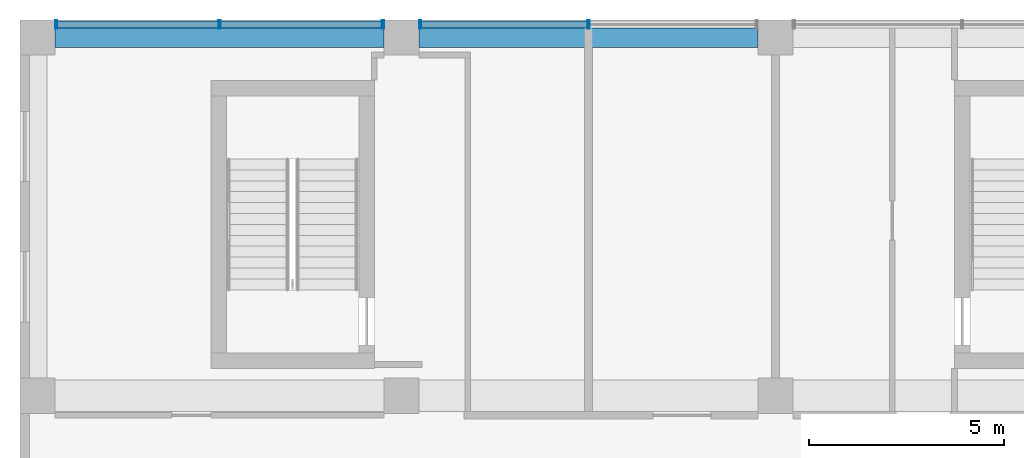
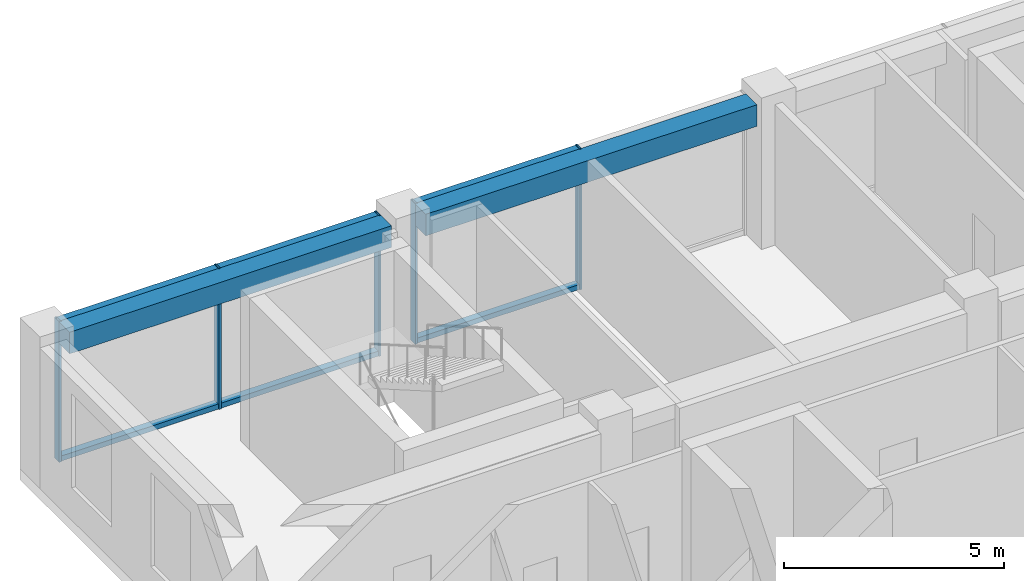
# One storey, part 21 of 38: 11 members, 2 beams, 2 elements without a shape of their own.
"""IFC4 building model written with IfcOpenShell, lengths in metres."""

from ifc_helpers import new_model, si_unit, direction, frame, origin, origin_2d, place, context, subcontext, project, spatial, rectangle, hollow_rectangle, extrude, material, layer, layer_set, material_profile, profile_set, type_object, element, aggregate, save


model = new_model("IFC4")

# Units and contexts
model_context = context("Model", 3, precision=1e-05, world=origin(), true_north=direction((0.0, 1.0)))
body_context = subcontext(model_context, "Body", "Model", "MODEL_VIEW")
ifc_project = project(units=[si_unit("LENGTHUNIT", "METRE"), si_unit("AREAUNIT", "SQUARE_METRE"), si_unit("VOLUMEUNIT", "CUBIC_METRE"), si_unit("PLANEANGLEUNIT", "RADIAN"), si_unit("MASSUNIT", "GRAM", prefix="KILO")], contexts=[model_context])

# Site, building, storey
site_placement = place(None, origin())
site = spatial("IfcSite", under=ifc_project, at=site_placement, CompositionType="ELEMENT")
building_placement = place(site_placement, origin())
building = spatial("IfcBuilding", under=site, at=building_placement, Name="Nzadi Deep Aquarium and Research Tower", CompositionType="ELEMENT")
storey_placement = place(building_placement, frame((0.0, 0.0, 52.89990234375)))
storey = spatial("IfcBuildingStorey", under=building, at=storey_placement, Name="L10", CompositionType="ELEMENT", Elevation=52.89990234375)

# Curtain wall, members
ifc_material_1 = material(Name="Aluminium unitised frame deep", Category="aluminium")
ifc_layer = layer(ifc_material_1, 0.22509765625)
ifc_layer_set = layer_set([ifc_layer], Name="Aluminium unitised frame deep")
curtain_wall_type = type_object("IfcCurtainWallType", Name="Curtain wall Unitised Deep 225", PredefinedType="NOTDEFINED", material=ifc_layer_set)
curtain_wall_1_placement = place(storey_placement, origin())
curtain_wall_1 = element("IfcCurtainWall", 1, at=curtain_wall_1_placement, inside=storey, type_object=curtain_wall_type, Name="Unitised curtain wall blade B north L10", PredefinedType="NOTDEFINED")
ifc_material_2 = material(Name="Aluminium unitised frame deep", Category="aluminium")
ifc_material_profile_1 = material_profile(ifc_material_2, hollow_rectangle(XDim=0.22509765625, YDim=0.06005859375, WallThickness=0.0048828125, at=origin_2d()))
ifc_profile_set_1 = profile_set([ifc_material_profile_1], Name="Aluminium unitised frame deep")
member_type_1 = type_object("IfcMemberType", Name="Mullion 60x225 Unitised Deep", PredefinedType="MULLION", material=ifc_profile_set_1)
member_1_placement = place(storey_placement, frame((0.72998046875, 46.33740234375, 0.0), z_axis=(0.0, 0.0, 1.0), x_axis=(0.0, 1.0, 0.0)))
member_1 = element("IfcMember", 2, at=member_1_placement, type_object=member_type_1, Name="CW134 mullion 1", PredefinedType="MULLION", context=body_context, shape_type="SweptSolid", body=[
    extrude(hollow_rectangle(XDim=0.22509765625, YDim=0.06005859375, WallThickness=0.0048828125, at=origin_2d()), origin(), (0.0, 0.0, 1.0), 3.900146484375),
])
member_2_placement = place(storey_placement, frame((4.925048828125, 46.33740234375, 0.0), z_axis=(0.0, 0.0, 1.0), x_axis=(0.0, 1.0, 0.0)))
member_2 = element("IfcMember", 3, at=member_2_placement, type_object=member_type_1, Name="CW134 mullion 2", PredefinedType="MULLION", context=body_context, shape_type="SweptSolid", body=[
    extrude(hollow_rectangle(XDim=0.22509765625, YDim=0.06005859375, WallThickness=0.0048828125, at=origin_2d()), origin(), (0.0, 0.0, 1.0), 3.900146484375),
])
member_3_placement = place(storey_placement, frame((9.1201171875, 46.33740234375, 0.0), z_axis=(0.0, 0.0, 1.0), x_axis=(0.0, 1.0, 0.0)))
member_3 = element("IfcMember", 4, at=member_3_placement, type_object=member_type_1, Name="CW134 mullion 3", PredefinedType="MULLION", context=body_context, shape_type="SweptSolid", body=[
    extrude(hollow_rectangle(XDim=0.22509765625, YDim=0.06005859375, WallThickness=0.0048828125, at=origin_2d()), origin(), (0.0, 0.0, 1.0), 3.900146484375),
])

curtain_wall_2_placement = place(storey_placement, origin())
curtain_wall_2 = element("IfcCurtainWall", 5, at=curtain_wall_2_placement, inside=storey, type_object=curtain_wall_type, Name="Unitised curtain wall blade B north L10", PredefinedType="NOTDEFINED")
member_4_placement = place(storey_placement, frame((10.080078125, 46.33740234375, 0.0), z_axis=(0.0, 0.0, 1.0), x_axis=(0.0, 1.0, 0.0)))
member_4 = element("IfcMember", 6, at=member_4_placement, type_object=member_type_1, Name="CW135 mullion 1", PredefinedType="MULLION", context=body_context, shape_type="SweptSolid", body=[
    extrude(hollow_rectangle(XDim=0.22509765625, YDim=0.06005859375, WallThickness=0.0048828125, at=origin_2d()), origin(), (0.0, 0.0, 1.0), 3.900146484375),
])
member_5_placement = place(storey_placement, frame((14.39990234375, 46.33740234375, 0.0), z_axis=(0.0, 0.0, 1.0), x_axis=(0.0, 1.0, 0.0)))
member_5 = element("IfcMember", 7, at=member_5_placement, type_object=member_type_1, Name="CW135 mullion 2", PredefinedType="MULLION", context=body_context, shape_type="SweptSolid", body=[
    extrude(hollow_rectangle(XDim=0.22509765625, YDim=0.06005859375, WallThickness=0.0048828125, at=origin_2d()), origin(), (0.0, 0.0, 1.0), 3.900146484375),
])

# Beams
ifc_material_3 = material(Name="Concrete C35/45", Category="concrete")
ifc_material_profile_2 = material_profile(ifc_material_3, rectangle(XDim=0.5, YDim=0.60009765625, at=origin_2d()))
ifc_profile_set_2 = profile_set([ifc_material_profile_2], Name="Concrete C35/45")
beam_type = type_object("IfcBeamType", Name="RC 500x600", PredefinedType="BEAM", material=ifc_profile_set_2)
beam_1_placement = place(storey_placement, frame((0.699951171875, 46.0, 3.60009765625), z_axis=(1.0, 0.0, 0.0), x_axis=(0.0, 1.0, 0.0)))
element("IfcBeam", 8, at=beam_1_placement, inside=storey, type_object=beam_type, Name="B-Z1-L10-L6-1", PredefinedType="BEAM", context=body_context, shape_type="SweptSolid", body=[
    extrude(rectangle(XDim=0.5, YDim=0.60009765625, at=origin_2d()), origin(), (0.0, 0.0, 1.0), 8.449951171875),
])
beam_2_placement = place(storey_placement, frame((10.050048828125, 46.0, 3.60009765625), z_axis=(1.0, 0.0, 0.0), x_axis=(0.0, 1.0, 0.0)))
element("IfcBeam", 9, at=beam_2_placement, inside=storey, type_object=beam_type, Name="B-Z1-L10-L6-2", PredefinedType="BEAM", context=body_context, shape_type="SweptSolid", body=[
    extrude(rectangle(XDim=0.5, YDim=0.60009765625, at=origin_2d()), origin(), (0.0, 0.0, 1.0), 8.699951171875),
])

# Member
ifc_material_4 = material(Name="Aluminium unitised frame deep", Category="aluminium")
ifc_material_profile_3 = material_profile(ifc_material_4, hollow_rectangle(XDim=0.179931640625, YDim=0.139892578125, WallThickness=0.0048828125, at=origin_2d()))
ifc_profile_set_3 = profile_set([ifc_material_profile_3], Name="Aluminium unitised frame deep")
member_type_2 = type_object("IfcMemberType", Name="Transom 140x180 Unitised Deep", PredefinedType="MULLION", material=ifc_profile_set_3)
member_6_placement = place(storey_placement, frame((0.760009765625, 46.33740234375, 0.070068359375), z_axis=(1.0, 0.0, 0.0), x_axis=(0.0, 1.0, 0.0)))
member_6 = element("IfcMember", 10, at=member_6_placement, type_object=member_type_2, Name="CW134 transom 1.1", PredefinedType="MULLION", context=body_context, shape_type="SweptSolid", body=[
    extrude(hollow_rectangle(XDim=0.179931640625, YDim=0.139892578125, WallThickness=0.0048828125, at=origin_2d()), origin(), (0.0, 0.0, 1.0), 4.135009765625),
])

member_7_placement = place(storey_placement, frame((0.760009765625, 46.33740234375, 3.830078125), z_axis=(1.0, 0.0, 0.0), x_axis=(0.0, 1.0, 0.0)))
member_7 = element("IfcMember", 11, at=member_7_placement, type_object=member_type_2, Name="CW134 transom 1.2", PredefinedType="MULLION", context=body_context, shape_type="SweptSolid", body=[
    extrude(hollow_rectangle(XDim=0.179931640625, YDim=0.139892578125, WallThickness=0.0048828125, at=origin_2d()), origin(), (0.0, 0.0, 1.0), 4.135009765625),
])

member_8_placement = place(storey_placement, frame((4.955078125, 46.33740234375, 0.070068359375), z_axis=(1.0, 0.0, 0.0), x_axis=(0.0, 1.0, 0.0)))
member_8 = element("IfcMember", 12, at=member_8_placement, type_object=member_type_2, Name="CW134 transom 2.1", PredefinedType="MULLION", context=body_context, shape_type="SweptSolid", body=[
    extrude(hollow_rectangle(XDim=0.179931640625, YDim=0.139892578125, WallThickness=0.0048828125, at=origin_2d()), origin(), (0.0, 0.0, 1.0), 4.135009765625),
])

member_9_placement = place(storey_placement, frame((4.955078125, 46.33740234375, 3.830078125), z_axis=(1.0, 0.0, 0.0), x_axis=(0.0, 1.0, 0.0)))
member_9 = element("IfcMember", 13, at=member_9_placement, type_object=member_type_2, Name="CW134 transom 2.2", PredefinedType="MULLION", context=body_context, shape_type="SweptSolid", body=[
    extrude(hollow_rectangle(XDim=0.179931640625, YDim=0.139892578125, WallThickness=0.0048828125, at=origin_2d()), origin(), (0.0, 0.0, 1.0), 4.135009765625),
])

aggregate(curtain_wall_1, [member_1, member_2, member_3, member_6, member_7, member_8, member_9])

member_10_placement = place(storey_placement, frame((10.110107421875, 46.33740234375, 0.070068359375), z_axis=(1.0, 0.0, 0.0), x_axis=(0.0, 1.0, 0.0)))
member_10 = element("IfcMember", 14, at=member_10_placement, type_object=member_type_2, Name="CW135 transom 1.1", PredefinedType="MULLION", context=body_context, shape_type="SweptSolid", body=[
    extrude(hollow_rectangle(XDim=0.179931640625, YDim=0.139892578125, WallThickness=0.0048828125, at=origin_2d()), origin(), (0.0, 0.0, 1.0), 4.260009765625),
])

member_11_placement = place(storey_placement, frame((10.110107421875, 46.33740234375, 3.830078125), z_axis=(1.0, 0.0, 0.0), x_axis=(0.0, 1.0, 0.0)))
member_11 = element("IfcMember", 15, at=member_11_placement, type_object=member_type_2, Name="CW135 transom 1.2", PredefinedType="MULLION", context=body_context, shape_type="SweptSolid", body=[
    extrude(hollow_rectangle(XDim=0.179931640625, YDim=0.139892578125, WallThickness=0.0048828125, at=origin_2d()), origin(), (0.0, 0.0, 1.0), 4.260009765625),
])

aggregate(curtain_wall_2, [member_4, member_5, member_10, member_11])

save(model, "model.ifc")
